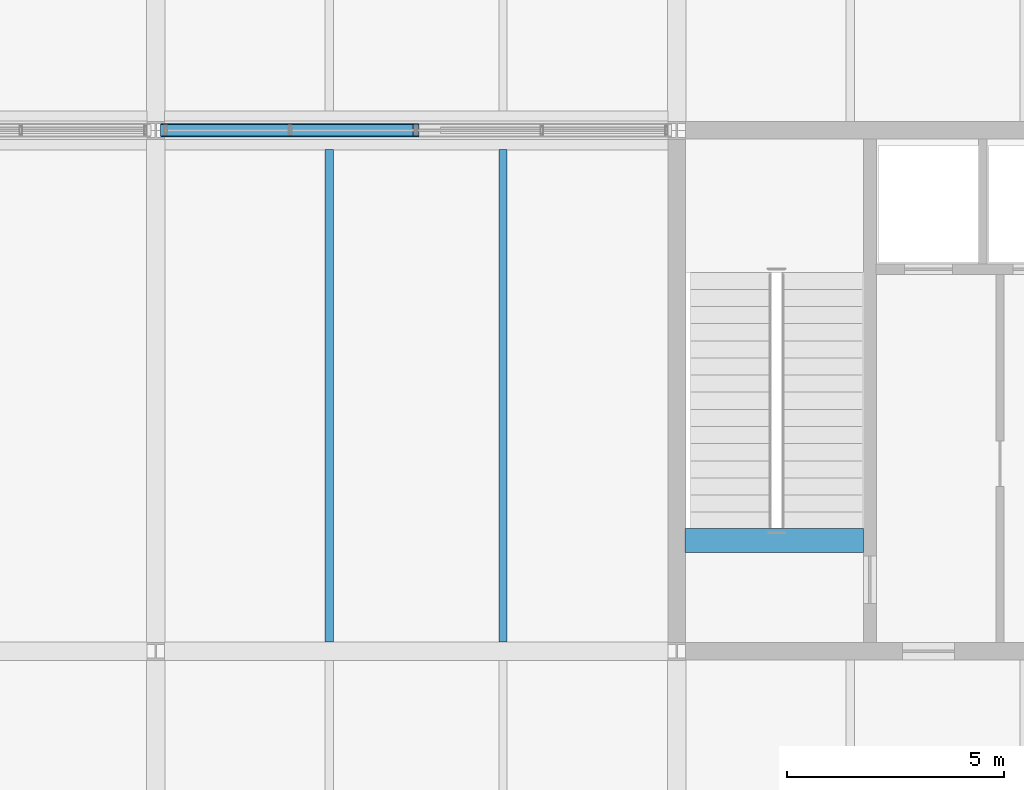
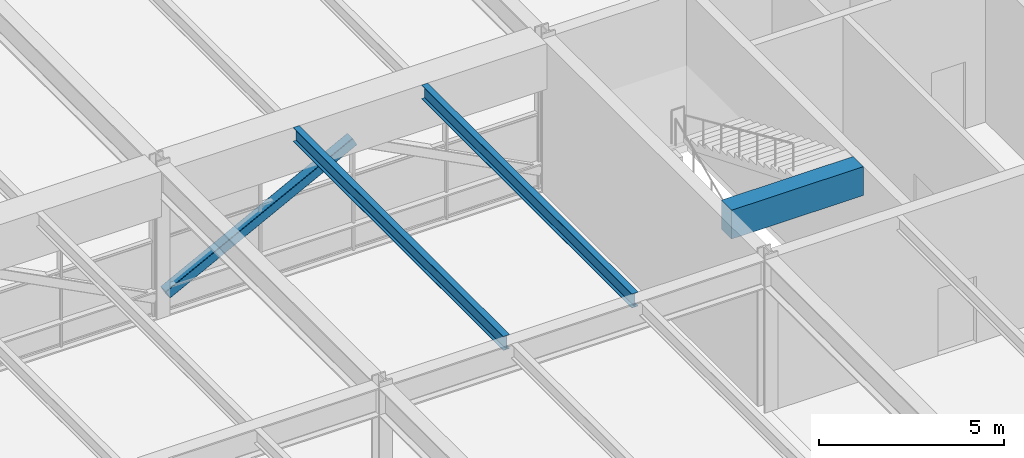
# One storey, part 25 of 42: 3 beams, 1 member.
"""IFC4 building model written with IfcOpenShell, lengths in metres."""

from ifc_helpers import new_model, si_unit, direction, frame, origin, origin_2d, place, context, subcontext, project, spatial, rectangle, hollow_rectangle, i_section, extrude, material, material_profile, profile_set, type_object, element, save


model = new_model("IFC4")

# Units and contexts
model_context = context("Model", 3, precision=1e-05, world=origin(), true_north=direction((0.0, 1.0)))
body_context = subcontext(model_context, "Body", "Model", "MODEL_VIEW")
ifc_project = project(units=[si_unit("LENGTHUNIT", "METRE"), si_unit("AREAUNIT", "SQUARE_METRE"), si_unit("VOLUMEUNIT", "CUBIC_METRE"), si_unit("PLANEANGLEUNIT", "RADIAN"), si_unit("MASSUNIT", "GRAM", prefix="KILO")], contexts=[model_context])

# Site, building, storey
site_placement = place(None, origin())
site = spatial("IfcSite", under=ifc_project, at=site_placement, CompositionType="ELEMENT")
building_placement = place(site_placement, origin())
building = spatial("IfcBuilding", under=site, at=building_placement, Name="Girod Span Mobility Hub", CompositionType="ELEMENT")
storey_placement = place(building_placement, frame((0.0, 0.0, 32.39990234375)))
storey = spatial("IfcBuildingStorey", under=building, at=storey_placement, Name="L08", CompositionType="ELEMENT", Elevation=32.39990234375)

# Beams
ifc_material_1 = material(Name="Concrete C40/50", Category="concrete")
ifc_material_profile_1 = material_profile(ifc_material_1, rectangle(XDim=0.550048828125, YDim=0.949951171875, at=origin_2d()), Name="RK-550X950")
ifc_profile_set_1 = profile_set([ifc_material_profile_1], Name="Concrete C40/50")
beam_type_1 = type_object("IfcBeamType", Name="BM-RK-550X950", PredefinedType="BEAM", material=ifc_profile_set_1)
beam_placement = place(storey_placement, frame((108.197021484375, 59.550048828125, 4.565185546875), z_axis=(1.0, 0.0, 0.0), x_axis=(0.0, 1.0, 0.0)))
element("IfcBeam", 1, at=beam_placement, inside=storey, type_object=beam_type_1, Name="Stair ST-2 Landing Header Beam L08", PredefinedType="BEAM", context=body_context, shape_type="SweptSolid", body=[
    extrude(rectangle(XDim=0.550048828125, YDim=0.949951171875, at=origin_2d()), origin(), (0.0, 0.0, 1.0), 4.10595703125),
])
ifc_material_2 = material(Name="Steel A992 Grade 50", Category="steel")
ifc_material_profile_2 = material_profile(ifc_material_2, i_section(OverallWidth=0.19189453125, OverallDepth=0.462890625, WebThickness=0.010498046875, FlangeThickness=0.017578125, FilletRadius=0.013916015625, at=origin_2d()), Name="W18X60")
ifc_profile_set_2 = profile_set([ifc_material_profile_2], Name="Steel A992 Grade 50")
beam_type_2 = type_object("IfcBeamType", Name="BM-STL-W18X60", PredefinedType="BEAM", material=ifc_profile_set_2)
for number, where, z_axis, x_axis, name in (
    (2, (100.0, 57.20849609375, 4.80859375), (0.0, 1.0, 0.0), (-1.0, 0.0, 0.0), "Composite Floorbeam 9/E-1 L08"),
    (3, (104.0, 57.20849609375, 4.80859375), (0.0, 1.0, 0.0), (-1.0, 0.0, 0.0), "Composite Floorbeam 9/E-2 L08"),
):
    element("IfcBeam", number, at=place(storey_placement, frame(where, z_axis=z_axis, x_axis=x_axis)), inside=storey, type_object=beam_type_2, Name=name, PredefinedType="BEAM", context=body_context, shape_type="SweptSolid", body=[
        extrude(i_section(OverallWidth=0.19189453125, OverallDepth=0.462890625, WebThickness=0.010498046875, FlangeThickness=0.017578125, FilletRadius=0.013916015625, at=origin_2d()), origin(), (0.0, 0.0, 1.0), 11.344482421875),
    ])

# Member
ifc_material_3 = material(Name="Steel HSS A500 Grade C", Category="steel")
ifc_material_profile_3 = material_profile(ifc_material_3, hollow_rectangle(XDim=0.304931640625, YDim=0.304931640625, WallThickness=0.014892578125, InnerFilletRadius=0.014892578125, OuterFilletRadius=0.029541015625, at=origin_2d()), Name="HSS305X305X16")
ifc_profile_set_3 = profile_set([ifc_material_profile_3], Name="Steel HSS A500 Grade C")
member_type = type_object("IfcMemberType", Name="MB-BR-HSS305", PredefinedType="BRACE", material=ifc_profile_set_3)
member_placement = place(storey_placement, frame((96.18310546875, 69.0, 0.650146484375), z_axis=(0.888138427159, 0.0, 0.459576037457), x_axis=(0.0, 1.0, 0.0)))
element("IfcMember", 4, at=member_placement, inside=storey, type_object=member_type, Name="Warren Transfer Truss Web Diagonal Y=69 9-L", PredefinedType="BRACE", context=body_context, shape_type="SweptSolid", body=[
    extrude(hollow_rectangle(XDim=0.304931640625, YDim=0.304931640625, WallThickness=0.014892578125, InnerFilletRadius=0.014892578125, OuterFilletRadius=0.029541015625, at=origin_2d()), origin(), (0.0, 0.0, 1.0), 6.549560546875),
])

save(model, "model.ifc")
